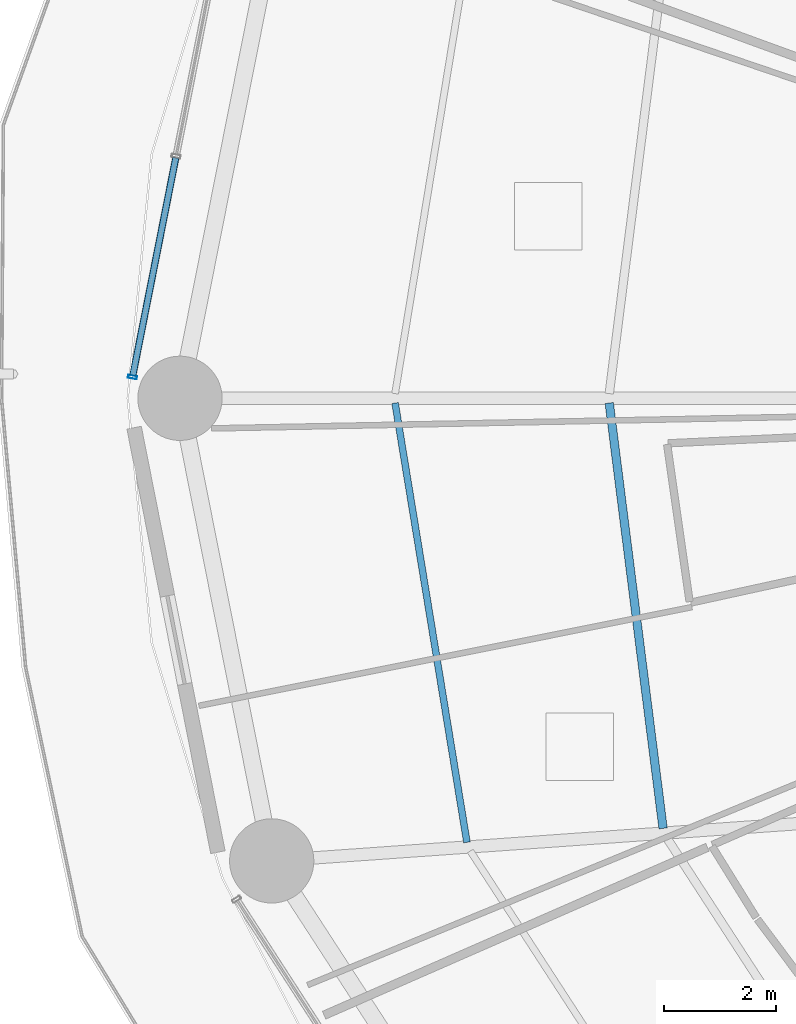
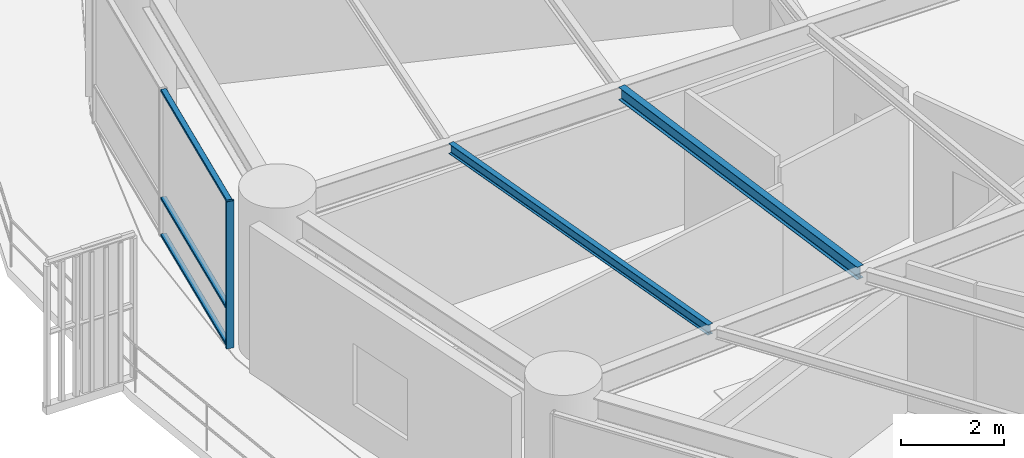
# One storey, part 6 of 34: 4 members, 2 beams, 1 element without a shape of its own.
"""IFC4 building model written with IfcOpenShell, lengths in metres."""

from ifc_helpers import new_model, si_unit, direction, frame, origin, origin_2d, place, context, subcontext, project, spatial, hollow_rectangle, i_section, extrude, material, layer, layer_set, material_profile, profile_set, type_object, element, aggregate, save


model = new_model("IFC4")

# Units and contexts
model_context = context("Model", 3, precision=1e-05, world=origin(), true_north=direction((0.0, 1.0)))
body_context = subcontext(model_context, "Body", "Model", "MODEL_VIEW")
ifc_project = project(units=[si_unit("LENGTHUNIT", "METRE"), si_unit("AREAUNIT", "SQUARE_METRE"), si_unit("VOLUMEUNIT", "CUBIC_METRE"), si_unit("PLANEANGLEUNIT", "RADIAN"), si_unit("MASSUNIT", "GRAM", prefix="KILO")], contexts=[model_context])

# Site, building, storey
site_placement = place(None, origin())
site = spatial("IfcSite", under=ifc_project, at=site_placement, CompositionType="ELEMENT")
building_placement = place(site_placement, origin())
building = spatial("IfcBuilding", under=site, at=building_placement, Name="Kelanora Arch Commons", CompositionType="ELEMENT")
storey_placement = place(building_placement, frame((0.0, 0.0, 33.75)))
storey = spatial("IfcBuildingStorey", under=building, at=storey_placement, Name="L08", CompositionType="ELEMENT", Elevation=33.75)

# Beams
ifc_material_1 = material(Name="Steel S355", Category="steel")
ifc_material_profile_1 = material_profile(ifc_material_1, i_section(OverallWidth=0.14990234375, OverallDepth=0.300048828125, WebThickness=0.007080078125, FlangeThickness=0.0107421875, FilletRadius=0.014892578125, at=origin_2d()), Name="IPE300")
ifc_profile_set_1 = profile_set([ifc_material_profile_1], Name="Steel S355")
beam_type_1 = type_object("IfcBeamType", Name="BM-JST-01", PredefinedType="JOIST", material=ifc_profile_set_1)
beam_1_placement = place(storey_placement, frame((54.562744140625, 57.915771484375, 3.340087890625), z_axis=(0.125565841651, -0.992085288375, 0.0), x_axis=(0.992085288375, 0.125565841651, 0.0)))
element("IfcBeam", 1, at=beam_1_placement, inside=storey, type_object=beam_type_1, Name="Secondary Chord Joist BJB-18 L08", PredefinedType="JOIST", context=body_context, shape_type="SweptSolid", body=[
    extrude(i_section(OverallWidth=0.14990234375, OverallDepth=0.300048828125, WebThickness=0.007080078125, FlangeThickness=0.0107421875, FilletRadius=0.014892578125, at=origin_2d()), origin(), (0.0, 0.0, 1.0), 7.63330078125),
])
ifc_material_profile_2 = material_profile(ifc_material_1, i_section(OverallWidth=0.1201171875, OverallDepth=0.239990234375, WebThickness=0.006103515625, FlangeThickness=0.009765625, FilletRadius=0.014892578125, at=origin_2d()), Name="IPE240")
ifc_profile_set_2 = profile_set([ifc_material_profile_2], Name="Steel S355")
beam_type_2 = type_object("IfcBeamType", Name="BM-JST-02", PredefinedType="JOIST", material=ifc_profile_set_2)
beam_2_placement = place(storey_placement, frame((50.749755859375, 57.916015625, 3.3701171875), z_axis=(0.161400737199, -0.986888951216, 0.0), x_axis=(0.986888951216, 0.161400737199, 0.0)))
element("IfcBeam", 2, at=beam_2_placement, inside=storey, type_object=beam_type_2, Name="Secondary Chord Joist BJC-18 L08", PredefinedType="JOIST", context=body_context, shape_type="SweptSolid", body=[
    extrude(i_section(OverallWidth=0.1201171875, OverallDepth=0.239990234375, WebThickness=0.006103515625, FlangeThickness=0.009765625, FilletRadius=0.014892578125, at=origin_2d()), origin(), (0.0, 0.0, 1.0), 7.9248046875),
])

# Curtain wall, members
ifc_material_2 = material(Name="Terracotta ceramic-fritted low-E glass and aluminium", Category="masonry")
ifc_layer = layer(ifc_material_2, 0.159912109375)
ifc_layer_set = layer_set([ifc_layer], Name="Terracotta ceramic-fritted low-E glass and aluminium")
curtain_wall_type = type_object("IfcCurtainWallType", Name="CW-SYS-01", PredefinedType="NOTDEFINED", material=ifc_layer_set)
curtain_wall_placement = place(storey_placement, origin())
curtain_wall = element("IfcCurtainWall", 3, at=curtain_wall_placement, inside=storey, type_object=curtain_wall_type, Name="Unitised Curtain Wall L08-B08", PredefinedType="NOTDEFINED")
ifc_material_3 = material(Name="Powder-coated aluminium terracotta", Category="masonry")
ifc_material_profile_3 = material_profile(ifc_material_3, hollow_rectangle(XDim=0.159912109375, YDim=0.06005859375, WallThickness=0.0048828125, InnerFilletRadius=0.0048828125, OuterFilletRadius=0.010009765625, at=origin_2d()), Name="CWM160x60")
ifc_profile_set_3 = profile_set([ifc_material_profile_3], Name="Powder-coated aluminium terracotta")
member_type_1 = type_object("IfcMemberType", Name="CWM-STD", PredefinedType="MULLION", material=ifc_profile_set_3)
member_1_placement = place(storey_placement, frame((46.074951171875, 58.379150390625, 0.0), z_axis=(0.0, 0.0, 1.0), x_axis=(0.981052110579, -0.193744048498, 0.0)))
member_1 = element("IfcMember", 4, at=member_1_placement, type_object=member_type_1, Name="CW-01 mullion 3", PredefinedType="MULLION", context=body_context, shape_type="SweptSolid", body=[
    extrude(hollow_rectangle(XDim=0.159912109375, YDim=0.06005859375, WallThickness=0.0048828125, InnerFilletRadius=0.0048828125, OuterFilletRadius=0.010009765625, at=origin_2d()), origin(), (0.0, 0.0, 1.0), 3.47509765625),
])
ifc_material_profile_4 = material_profile(ifc_material_3, hollow_rectangle(XDim=0.1201171875, YDim=0.06005859375, WallThickness=0.0048828125, InnerFilletRadius=0.0048828125, OuterFilletRadius=0.010009765625, at=origin_2d()), Name="CWT120x60")
ifc_profile_set_4 = profile_set([ifc_material_profile_4], Name="Powder-coated aluminium terracotta")
member_type_2 = type_object("IfcMemberType", Name="CWT-STD", PredefinedType="USERDEFINED", material=ifc_profile_set_4)
member_2_placement = place(storey_placement, frame((46.845703125, 62.281982421875, 0.030029296875), z_axis=(-0.193725436624, -0.98105578598, 0.0), x_axis=(0.98105578598, -0.193725436624, 0.0)))
member_2 = element("IfcMember", 5, at=member_2_placement, type_object=member_type_2, Name="CW-01 transom 2.1", ObjectType="TRANSOM", PredefinedType="USERDEFINED", context=body_context, shape_type="SweptSolid", body=[
    extrude(hollow_rectangle(XDim=0.1201171875, YDim=0.06005859375, WallThickness=0.0048828125, InnerFilletRadius=0.0048828125, OuterFilletRadius=0.010009765625, at=origin_2d()), origin(), (0.0, 0.0, 1.0), 3.9482421875),
])
member_3_placement = place(storey_placement, frame((46.845703125, 62.281982421875, 0.89990234375), z_axis=(-0.193725436624, -0.98105578598, 0.0), x_axis=(0.98105578598, -0.193725436624, 0.0)))
member_3 = element("IfcMember", 6, at=member_3_placement, type_object=member_type_2, Name="CW-01 transom 2.2", ObjectType="TRANSOM", PredefinedType="USERDEFINED", context=body_context, shape_type="SweptSolid", body=[
    extrude(hollow_rectangle(XDim=0.1201171875, YDim=0.06005859375, WallThickness=0.0048828125, InnerFilletRadius=0.0048828125, OuterFilletRadius=0.010009765625, at=origin_2d()), origin(), (0.0, 0.0, 1.0), 3.9482421875),
])
member_4_placement = place(storey_placement, frame((46.845703125, 62.281982421875, 3.445068359375), z_axis=(-0.193725436624, -0.98105578598, 0.0), x_axis=(0.98105578598, -0.193725436624, 0.0)))
member_4 = element("IfcMember", 7, at=member_4_placement, type_object=member_type_2, Name="CW-01 transom 2.3", ObjectType="TRANSOM", PredefinedType="USERDEFINED", context=body_context, shape_type="SweptSolid", body=[
    extrude(hollow_rectangle(XDim=0.1201171875, YDim=0.06005859375, WallThickness=0.0048828125, InnerFilletRadius=0.0048828125, OuterFilletRadius=0.010009765625, at=origin_2d()), origin(), (0.0, 0.0, 1.0), 3.9482421875),
])
aggregate(curtain_wall, [member_1, member_2, member_3, member_4])

save(model, "model.ifc")
